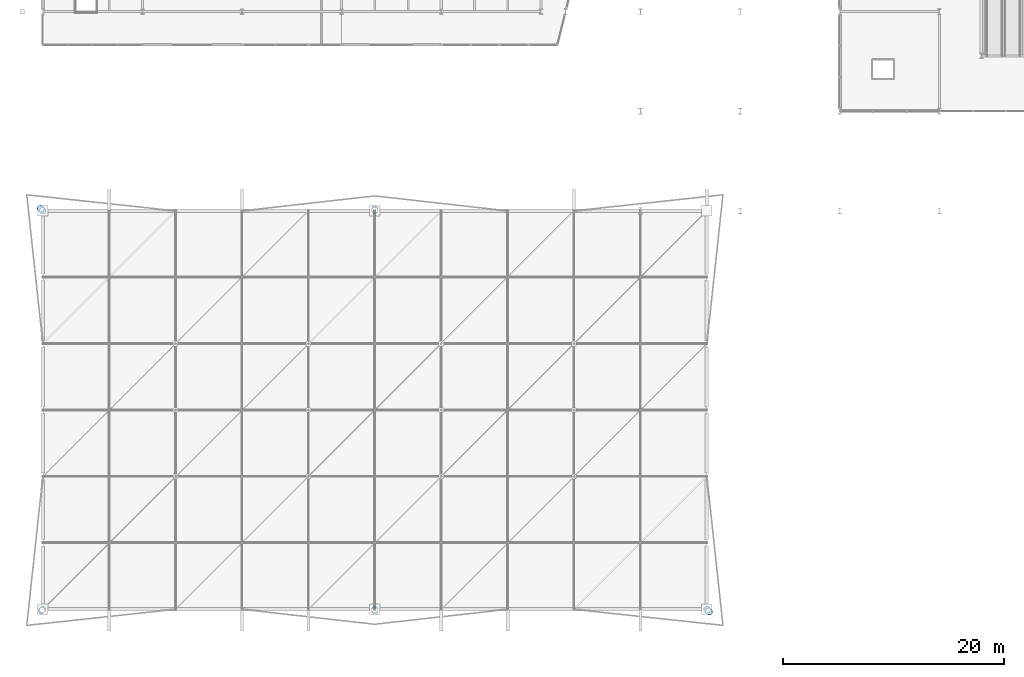
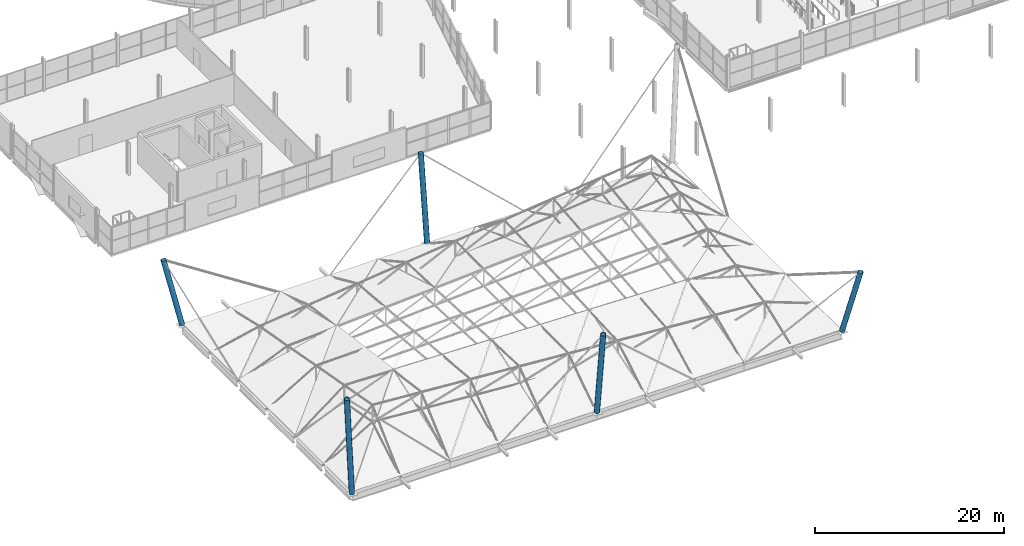
# One storey, part 1 of 132: 5 columns.
"""IFC4 building model written with IfcOpenShell, lengths in metres."""

from ifc_helpers import new_model, si_unit, direction, frame, origin, origin_2d, place, context, subcontext, project, spatial, hollow_circle, extrude, material, material_profile, profile_set, type_object, element, save


model = new_model("IFC4")

# Units and contexts
model_context = context("Model", 3, precision=1e-05, world=origin(), true_north=direction((0.0, 1.0)))
body_context = subcontext(model_context, "Body", "Model", "MODEL_VIEW")
ifc_project = project(units=[si_unit("LENGTHUNIT", "METRE"), si_unit("AREAUNIT", "SQUARE_METRE"), si_unit("VOLUMEUNIT", "CUBIC_METRE"), si_unit("PLANEANGLEUNIT", "RADIAN"), si_unit("MASSUNIT", "GRAM", prefix="KILO")], contexts=[model_context])

# Site, building, storey
site_placement = place(None, origin())
site = spatial("IfcSite", under=ifc_project, at=site_placement, CompositionType="ELEMENT")
building_placement = place(site_placement, origin())
building = spatial("IfcBuilding", under=site, at=building_placement, Name="Deido Ridge Mobility Hub", CompositionType="ELEMENT")
storey_placement = place(building_placement, frame((0.0, 0.0, 8.39990234375)))
storey = spatial("IfcBuildingStorey", under=building, at=storey_placement, Name="L02", CompositionType="ELEMENT", Elevation=8.39990234375)

# Columns
ifc_material = material(Name="Steel S355J2H EN 10210-1", Category="steel")
ifc_material_profile = material_profile(ifc_material, hollow_circle(Radius=0.304931640625, WallThickness=0.02490234375, at=origin_2d()), Name="CHS 610x25")
ifc_profile_set = profile_set([ifc_material_profile], Name="Steel S355J2H EN 10210-1")
column_type = type_object("IfcColumnType", Name="MAST-CHS610", PredefinedType="USERDEFINED", material=ifc_profile_set)
column_placement = place(storey_placement, frame((0.0, 0.0, 0.085205078125), z_axis=(-0.10530900445, -0.10530900445, 0.988847828113), x_axis=(0.707106781187, -0.707106781187, 0.0)))
element("IfcColumn", 1, at=column_placement, inside=storey, type_object=column_type, Name="Roof mast M1", ObjectType="MAST COLUMN", PredefinedType="USERDEFINED", context=body_context, shape_type="SweptSolid", body=[
    extrude(hollow_circle(Radius=0.304931640625, WallThickness=0.02490234375, at=origin_2d()), origin(), (0.0, 0.0, 1.0), 13.7685546875),
])
for number, where, z_axis, x_axis, name in (
    (2, (60.0, 0.0, 0.085205078125), (0.175262160549, -0.175262160549, 0.968796340909), (0.707106781187, 0.707106781187, 0.0), "Roof mast M2"),
    (3, (0.0, 36.0, 0.085205078125), (-0.175262160549, 0.175262160549, 0.968796340909), (-0.707106781187, -0.707106781187, 0.0), "Roof mast M4"),
):
    element("IfcColumn", number, at=place(storey_placement, frame(where, z_axis=z_axis, x_axis=x_axis)), inside=storey, type_object=column_type, Name=name, ObjectType="MAST COLUMN", PredefinedType="USERDEFINED", context=body_context, shape_type="SweptSolid", body=[
        extrude(hollow_circle(Radius=0.304931640625, WallThickness=0.02490234375, at=origin_2d()), origin(), (0.0, 0.0, 1.0), 8.27294921875),
    ])
for number, where, z_axis, x_axis, name in (
    (4, (30.0, 0.0, 0.085205078125), (0.0, -0.122758720024, 0.992436545406), (1.0, 0.0, 0.0), "Roof mast M5"),
    (5, (30.0, 36.0, 0.085205078125), (0.0, 0.122758720024, 0.992436545406), (-1.0, 0.0, 0.0), "Roof mast M6"),
):
    element("IfcColumn", number, at=place(storey_placement, frame(where, z_axis=z_axis, x_axis=x_axis)), inside=storey, type_object=column_type, Name=name, ObjectType="MAST COLUMN", PredefinedType="USERDEFINED", context=body_context, shape_type="SweptSolid", body=[
        extrude(hollow_circle(Radius=0.304931640625, WallThickness=0.02490234375, at=origin_2d()), origin(), (0.0, 0.0, 1.0), 10.998046875),
    ])

save(model, "model.ifc")
